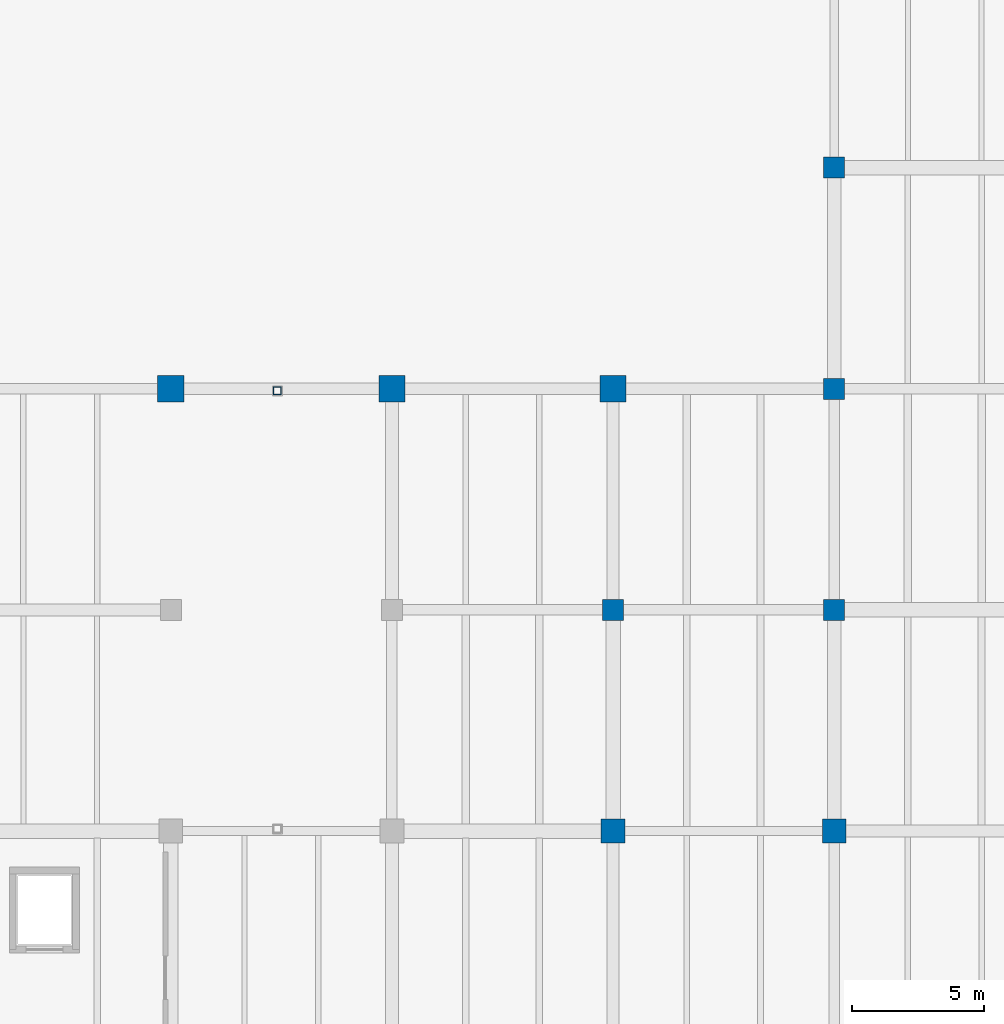
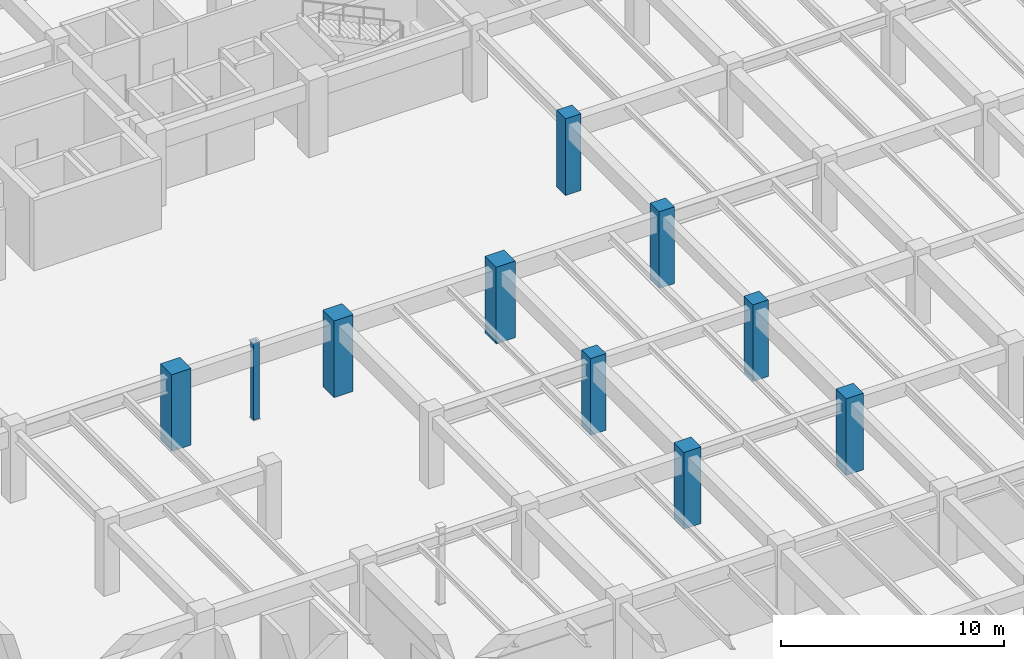
# One storey, part 8 of 63: 10 columns.
"""IFC4 building model written with IfcOpenShell, lengths in metres."""

from ifc_helpers import new_model, si_unit, direction, frame, origin, origin_2d, place, context, subcontext, project, spatial, rectangle, hollow_rectangle, extrude, material, material_profile, profile_set, type_object, element, save


model = new_model("IFC4")

# Units and contexts
model_context = context("Model", 3, precision=1e-05, world=origin(), true_north=direction((0.0, 1.0)))
body_context = subcontext(model_context, "Body", "Model", "MODEL_VIEW")
ifc_project = project(units=[si_unit("LENGTHUNIT", "METRE"), si_unit("AREAUNIT", "SQUARE_METRE"), si_unit("VOLUMEUNIT", "CUBIC_METRE"), si_unit("PLANEANGLEUNIT", "RADIAN"), si_unit("MASSUNIT", "GRAM", prefix="KILO")], contexts=[model_context])

# Site, building, storey
site_placement = place(None, origin())
site = spatial("IfcSite", under=ifc_project, at=site_placement, CompositionType="ELEMENT")
building_placement = place(site_placement, origin())
building = spatial("IfcBuilding", under=site, at=building_placement, Name="Cumbredor Promenade Congress Hotel", CompositionType="ELEMENT")
storey_placement = place(building_placement, frame((0.0, 0.0, -4.199951171875)))
storey = spatial("IfcBuildingStorey", under=building, at=storey_placement, Name="B01", CompositionType="ELEMENT", Elevation=-4.199951171875)

# Columns
ifc_material_1 = material(Name="Concrete C50/60", Category="concrete")
ifc_material_profile_1 = material_profile(ifc_material_1, rectangle(XDim=1.0, YDim=1.0, at=origin_2d()), Name="RC 1000x1000")
ifc_profile_set_1 = profile_set([ifc_material_profile_1], Name="Concrete C50/60")
column_type_1 = type_object("IfcColumnType", Name="COL-RC-1000", PredefinedType="COLUMN", material=ifc_profile_set_1)
for number, where, z_axis, x_axis, name in (
    (1, (25.199951171875, 84.0, 0.0), (0.0, 0.0, 1.0), (1.0, 0.0, 0.0), "B01 Structural Column 042"),
    (2, (33.60009765625, 84.0, 0.0), (0.0, 0.0, 1.0), (1.0, 0.0, 0.0), "B01 Structural Column 055"),
    (3, (42.0, 84.0, 0.0), (0.0, 0.0, 1.0), (1.0, 0.0, 0.0), "B01 Structural Column 068"),
):
    element("IfcColumn", number, at=place(storey_placement, frame(where, z_axis=z_axis, x_axis=x_axis)), inside=storey, type_object=column_type_1, Name=name, PredefinedType="COLUMN", context=body_context, shape_type="SweptSolid", body=[
        extrude(rectangle(XDim=1.0, YDim=1.0, at=origin_2d()), origin(), (0.0, 0.0, 1.0), 4.199951171875),
    ])
ifc_material_profile_2 = material_profile(ifc_material_1, rectangle(XDim=0.800048828125, YDim=0.800048828125, at=origin_2d()), Name="RC 800x800")
ifc_profile_set_2 = profile_set([ifc_material_profile_2], Name="Concrete C50/60")
column_type_2 = type_object("IfcColumnType", Name="COL-RC-800", PredefinedType="COLUMN", material=ifc_profile_set_2)
for number, where, z_axis, x_axis, name in (
    (4, (42.0, 75.60009765625, 0.0), (0.0, 0.0, 1.0), (1.0, 0.0, 0.0), "B01 Structural Column 067"),
    (5, (50.39990234375, 75.60009765625, 0.0), (0.0, 0.0, 1.0), (1.0, 0.0, 0.0), "B01 Structural Column 080"),
    (6, (50.39990234375, 84.0, 0.0), (0.0, 0.0, 1.0), (1.0, 0.0, 0.0), "B01 Structural Column 081"),
    (7, (50.39990234375, 92.39990234375, 0.0), (0.0, 0.0, 1.0), (1.0, 0.0, 0.0), "B01 Structural Column 082"),
):
    element("IfcColumn", number, at=place(storey_placement, frame(where, z_axis=z_axis, x_axis=x_axis)), inside=storey, type_object=column_type_2, Name=name, PredefinedType="COLUMN", context=body_context, shape_type="SweptSolid", body=[
        extrude(rectangle(XDim=0.800048828125, YDim=0.800048828125, at=origin_2d()), origin(), (0.0, 0.0, 1.0), 4.199951171875),
    ])
ifc_material_profile_3 = material_profile(ifc_material_1, rectangle(XDim=0.89990234375, YDim=0.89990234375, at=origin_2d()), Name="RC 900x900")
ifc_profile_set_3 = profile_set([ifc_material_profile_3], Name="Concrete C50/60")
column_type_3 = type_object("IfcColumnType", Name="COL-RC-900", PredefinedType="COLUMN", material=ifc_profile_set_3)
for number, where, z_axis, x_axis, name in (
    (8, (42.0, 67.199951171875, 0.0), (0.0, 0.0, 1.0), (1.0, 0.0, 0.0), "B01 Structural Column 066"),
    (9, (50.39990234375, 67.199951171875, 0.0), (0.0, 0.0, 1.0), (1.0, 0.0, 0.0), "B01 Structural Column 079"),
):
    element("IfcColumn", number, at=place(storey_placement, frame(where, z_axis=z_axis, x_axis=x_axis)), inside=storey, type_object=column_type_3, Name=name, PredefinedType="COLUMN", context=body_context, shape_type="SweptSolid", body=[
        extrude(rectangle(XDim=0.89990234375, YDim=0.89990234375, at=origin_2d()), origin(), (0.0, 0.0, 1.0), 4.199951171875),
    ])
ifc_material_2 = material(Name="Steel ASTM A500 Grade C", Category="steel")
ifc_material_profile_4 = material_profile(ifc_material_2, hollow_rectangle(XDim=0.300048828125, YDim=0.300048828125, WallThickness=0.01611328125, at=origin_2d()), Name="HSS 300x300x16")
ifc_profile_set_4 = profile_set([ifc_material_profile_4], Name="Steel ASTM A500 Grade C")
column_type_4 = type_object("IfcColumnType", Name="COL-STL-HSS300", PredefinedType="COLUMN", material=ifc_profile_set_4)
column_placement = place(storey_placement, frame((29.25, 83.919921875, 0.0), z_axis=(0.0, 0.0, 1.0), x_axis=(1.0, 0.0, 0.0)))
element("IfcColumn", 10, at=column_placement, inside=storey, type_object=column_type_4, Name="West Congress-to-Hotel Glazed Bridge B01 Substructure Pier 4", PredefinedType="COLUMN", context=body_context, shape_type="SweptSolid", body=[
    extrude(hollow_rectangle(XDim=0.300048828125, YDim=0.300048828125, WallThickness=0.01611328125, at=origin_2d()), origin(), (0.0, 0.0, 1.0), 4.199951171875),
])

save(model, "model.ifc")
